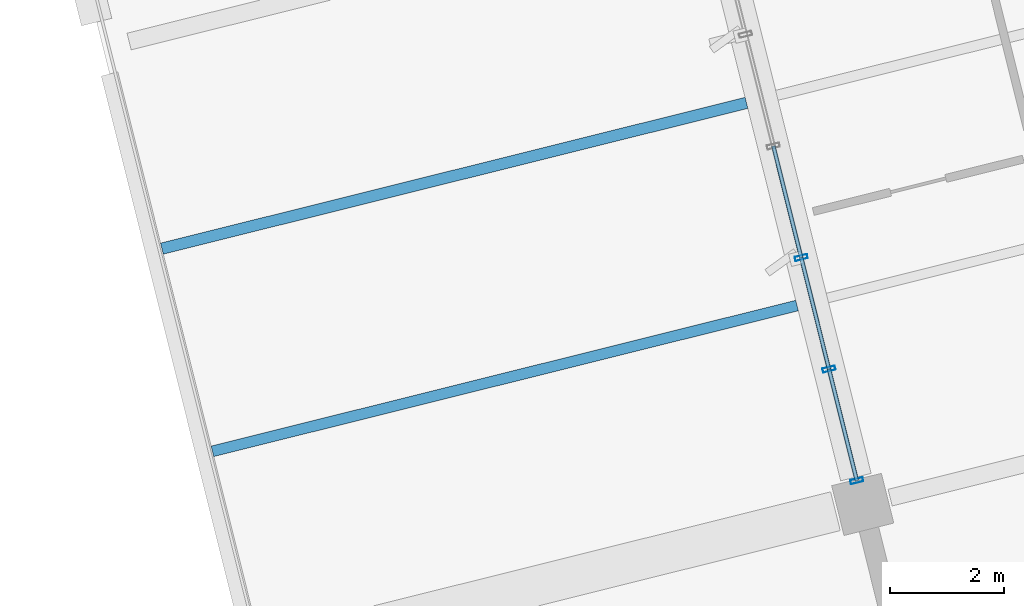
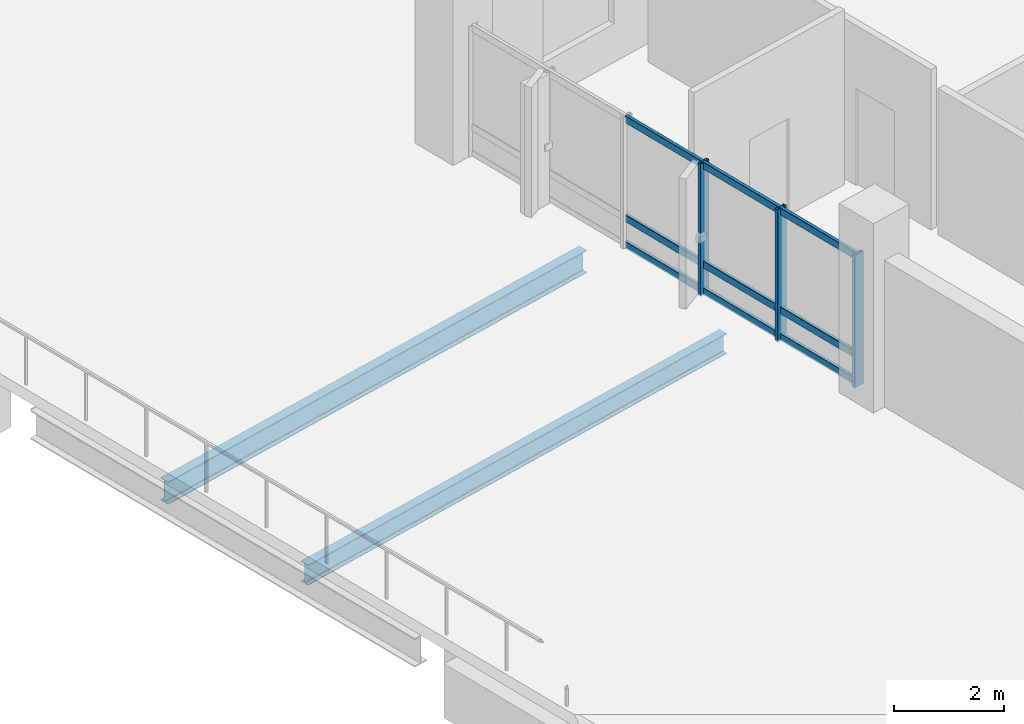
# One storey, part 14 of 42: 12 members, 2 beams, 1 element without a shape of its own.
"""IFC4 building model written with IfcOpenShell, lengths in metres."""

from ifc_helpers import new_model, si_unit, direction, frame, origin, origin_2d, place, context, subcontext, project, spatial, hollow_rectangle, i_section, extrude, material, layer, layer_set, material_profile, profile_set, type_object, element, aggregate, save


model = new_model("IFC4")

# Units and contexts
model_context = context("Model", 3, precision=1e-05, world=origin(), true_north=direction((0.0, 1.0)))
body_context = subcontext(model_context, "Body", "Model", "MODEL_VIEW")
ifc_project = project(units=[si_unit("LENGTHUNIT", "METRE"), si_unit("AREAUNIT", "SQUARE_METRE"), si_unit("VOLUMEUNIT", "CUBIC_METRE"), si_unit("PLANEANGLEUNIT", "RADIAN"), si_unit("MASSUNIT", "GRAM", prefix="KILO")], contexts=[model_context])

# Site, building, storey
site_placement = place(None, origin())
site = spatial("IfcSite", under=ifc_project, at=site_placement, CompositionType="ELEMENT")
building_placement = place(site_placement, origin())
building = spatial("IfcBuilding", under=site, at=building_placement, Name="Khorjan Park Terminus", CompositionType="ELEMENT")
storey_placement = place(building_placement, frame((0.0, 0.0, 20.4)))
storey = spatial("IfcBuildingStorey", under=building, at=storey_placement, Name="L04", CompositionType="ELEMENT", Elevation=20.4)

# Beams
ifc_material_1 = material(Name="Steel S355", Category="steel")
ifc_material_profile_1 = material_profile(ifc_material_1, i_section(OverallWidth=0.19, OverallDepth=0.45, WebThickness=0.0094, FlangeThickness=0.0146, FilletRadius=0.021, at=origin_2d()), Name="IPE 450")
ifc_profile_set_1 = profile_set([ifc_material_profile_1], Name="Steel S355")
beam_type_1 = type_object("IfcBeamType", Name="JS-IPE450", PredefinedType="JOIST", material=ifc_profile_set_1)
beam_1_placement = place(storey_placement, frame((186.6337, 56.2705, -0.565), z_axis=(0.970296385626, 0.241919251074, 0.0), x_axis=(-0.241919251074, 0.970296385626, 0.0)))
element("IfcBeam", 1, at=beam_1_placement, inside=storey, type_object=beam_type_1, Name="Secondary composite floor joist SJ-45 (L04)", PredefinedType="JOIST", context=body_context, shape_type="SweptSolid", body=[
    extrude(i_section(OverallWidth=0.19, OverallDepth=0.45, WebThickness=0.0094, FlangeThickness=0.0146, FilletRadius=0.021, at=origin_2d()), origin(), (0.0, 0.0, 1.0), 10.575),
])
ifc_material_profile_2 = material_profile(ifc_material_1, i_section(OverallWidth=0.2, OverallDepth=0.5, WebThickness=0.0102, FlangeThickness=0.016, FilletRadius=0.021, at=origin_2d()), Name="IPE 500")
ifc_profile_set_2 = profile_set([ifc_material_profile_2], Name="Steel S355")
beam_type_2 = type_object("IfcBeamType", Name="JS-IPE500", PredefinedType="JOIST", material=ifc_profile_set_2)
beam_2_placement = place(storey_placement, frame((185.7467, 59.8282, -0.59), z_axis=(0.970295832192, 0.241921470792, 0.0), x_axis=(-0.241921470792, 0.970295832192, 0.0)))
element("IfcBeam", 2, at=beam_2_placement, inside=storey, type_object=beam_type_2, Name="Secondary composite floor joist SJ-50 (L04)", PredefinedType="JOIST", context=body_context, shape_type="SweptSolid", body=[
    extrude(i_section(OverallWidth=0.2, OverallDepth=0.5, WebThickness=0.0102, FlangeThickness=0.016, FilletRadius=0.021, at=origin_2d()), origin(), (0.0, 0.0, 1.0), 10.5749),
])

# Curtain wall, members
ifc_material_2 = material(Name="Anodized Bronze Aluminium", Category="aluminium")
ifc_layer = layer(ifc_material_2, 0.22)
ifc_layer_set = layer_set([ifc_layer], Name="Anodized Bronze Aluminium")
curtain_wall_type = type_object("IfcCurtainWallType", Name="CW-OPS-B", PredefinedType="NOTDEFINED", material=ifc_layer_set)
curtain_wall_placement = place(storey_placement, origin())
curtain_wall = element("IfcCurtainWall", 3, at=curtain_wall_placement, inside=storey, type_object=curtain_wall_type, Name="Unitized curtain wall CW-B (CW-V5-NW1-L04-B01)", PredefinedType="NOTDEFINED")
ifc_material_profile_3 = material_profile(ifc_material_2, hollow_rectangle(XDim=0.075, YDim=0.225, WallThickness=0.005, InnerFilletRadius=0.005, OuterFilletRadius=0.01, at=origin_2d()), Name="ALM 75x225x5")
ifc_profile_set_3 = profile_set([ifc_material_profile_3], Name="Anodized Bronze Aluminium")
member_type_1 = type_object("IfcMemberType", Name="ML-ALM-225", PredefinedType="MULLION", material=ifc_profile_set_3)
member_1_placement = place(storey_placement, frame((196.9679, 59.6713, -0.035), z_axis=(0.0, 0.0, 1.0), x_axis=(0.241919922282, -0.970296218277, 0.0)))
member_1 = element("IfcMember", 4, at=member_1_placement, type_object=member_type_1, Name="Curtain-wall mullion ML-22 (CW-V5-NW1-L04-B01-3)", PredefinedType="MULLION", context=body_context, shape_type="SweptSolid", body=[
    extrude(hollow_rectangle(XDim=0.075, YDim=0.225, WallThickness=0.005, InnerFilletRadius=0.005, OuterFilletRadius=0.01, at=origin_2d()), origin(), (0.0, 0.0, 1.0), 2.935),
])
member_2_placement = place(storey_placement, frame((197.4561, 57.7133, -0.035), z_axis=(0.0, 0.0, 1.0), x_axis=(0.241919922282, -0.970296218277, 0.0)))
member_2 = element("IfcMember", 5, at=member_2_placement, type_object=member_type_1, Name="Curtain-wall mullion ML-22 (CW-V5-NW1-L04-B01-4)", PredefinedType="MULLION", context=body_context, shape_type="SweptSolid", body=[
    extrude(hollow_rectangle(XDim=0.075, YDim=0.225, WallThickness=0.005, InnerFilletRadius=0.005, OuterFilletRadius=0.01, at=origin_2d()), origin(), (0.0, 0.0, 1.0), 2.935),
])
member_3_placement = place(storey_placement, frame((197.9443, 55.7553, -0.035), z_axis=(0.0, 0.0, 1.0), x_axis=(0.241919922282, -0.970296218277, 0.0)))
member_3 = element("IfcMember", 6, at=member_3_placement, type_object=member_type_1, Name="Curtain-wall mullion ML-22 (CW-V5-NW1-L04-B01-5)", PredefinedType="MULLION", context=body_context, shape_type="SweptSolid", body=[
    extrude(hollow_rectangle(XDim=0.075, YDim=0.225, WallThickness=0.005, InnerFilletRadius=0.005, OuterFilletRadius=0.01, at=origin_2d()), origin(), (0.0, 0.0, 1.0), 2.935),
])
ifc_material_profile_4 = material_profile(ifc_material_2, hollow_rectangle(XDim=0.07, YDim=0.16, WallThickness=0.004, InnerFilletRadius=0.004, OuterFilletRadius=0.008, at=origin_2d()), Name="ALT 70x160x4")
ifc_profile_set_4 = profile_set([ifc_material_profile_4], Name="Anodized Bronze Aluminium")
member_type_2 = type_object("IfcMemberType", Name="TR-ALT-160", PredefinedType="USERDEFINED", material=ifc_profile_set_4)
member_4_placement = place(storey_placement, frame((196.4798, 61.6293, 0.04), z_axis=(0.241882597567, -0.970305523531, 0.0), x_axis=(0.970305523531, 0.241882597567, 0.0)))
member_4 = element("IfcMember", 7, at=member_4_placement, type_object=member_type_2, Name="Curtain-wall transom TR-16 (CW-V5-NW1-L04-B01-2-1)", ObjectType="TRANSOM", PredefinedType="USERDEFINED", context=body_context, shape_type="SweptSolid", body=[
    extrude(hollow_rectangle(XDim=0.07, YDim=0.16, WallThickness=0.004, InnerFilletRadius=0.004, OuterFilletRadius=0.008, at=origin_2d()), origin(), (0.0, 0.0, 1.0), 2.0179),
])
member_5_placement = place(storey_placement, frame((196.4798, 61.6293, 0.63), z_axis=(0.241882597567, -0.970305523531, 0.0), x_axis=(0.970305523531, 0.241882597567, 0.0)))
member_5 = element("IfcMember", 8, at=member_5_placement, type_object=member_type_2, Name="Curtain-wall transom TR-16 (CW-V5-NW1-L04-B01-2-2)", ObjectType="TRANSOM", PredefinedType="USERDEFINED", context=body_context, shape_type="SweptSolid", body=[
    extrude(hollow_rectangle(XDim=0.07, YDim=0.16, WallThickness=0.004, InnerFilletRadius=0.004, OuterFilletRadius=0.008, at=origin_2d()), origin(), (0.0, 0.0, 1.0), 2.0179),
])
member_6_placement = place(storey_placement, frame((196.4798, 61.6293, 2.825), z_axis=(0.241882597567, -0.970305523531, 0.0), x_axis=(0.970305523531, 0.241882597567, 0.0)))
member_6 = element("IfcMember", 9, at=member_6_placement, type_object=member_type_2, Name="Curtain-wall transom TR-16 (CW-V5-NW1-L04-B01-2-3)", ObjectType="TRANSOM", PredefinedType="USERDEFINED", context=body_context, shape_type="SweptSolid", body=[
    extrude(hollow_rectangle(XDim=0.07, YDim=0.16, WallThickness=0.004, InnerFilletRadius=0.004, OuterFilletRadius=0.008, at=origin_2d()), origin(), (0.0, 0.0, 1.0), 2.0179),
])
member_7_placement = place(storey_placement, frame((196.9679, 59.6713, 0.04), z_axis=(0.241929253299, -0.970293891766, 0.0), x_axis=(0.970293891766, 0.241929253299, 0.0)))
member_7 = element("IfcMember", 10, at=member_7_placement, type_object=member_type_2, Name="Curtain-wall transom TR-16 (CW-V5-NW1-L04-B01-3-1)", ObjectType="TRANSOM", PredefinedType="USERDEFINED", context=body_context, shape_type="SweptSolid", body=[
    extrude(hollow_rectangle(XDim=0.07, YDim=0.16, WallThickness=0.004, InnerFilletRadius=0.004, OuterFilletRadius=0.008, at=origin_2d()), origin(), (0.0, 0.0, 1.0), 2.0179),
])
member_8_placement = place(storey_placement, frame((196.9679, 59.6713, 0.63), z_axis=(0.241929253299, -0.970293891766, 0.0), x_axis=(0.970293891766, 0.241929253299, 0.0)))
member_8 = element("IfcMember", 11, at=member_8_placement, type_object=member_type_2, Name="Curtain-wall transom TR-16 (CW-V5-NW1-L04-B01-3-2)", ObjectType="TRANSOM", PredefinedType="USERDEFINED", context=body_context, shape_type="SweptSolid", body=[
    extrude(hollow_rectangle(XDim=0.07, YDim=0.16, WallThickness=0.004, InnerFilletRadius=0.004, OuterFilletRadius=0.008, at=origin_2d()), origin(), (0.0, 0.0, 1.0), 2.0179),
])
member_9_placement = place(storey_placement, frame((196.9679, 59.6713, 2.825), z_axis=(0.241929253299, -0.970293891766, 0.0), x_axis=(0.970293891766, 0.241929253299, 0.0)))
member_9 = element("IfcMember", 12, at=member_9_placement, type_object=member_type_2, Name="Curtain-wall transom TR-16 (CW-V5-NW1-L04-B01-3-3)", ObjectType="TRANSOM", PredefinedType="USERDEFINED", context=body_context, shape_type="SweptSolid", body=[
    extrude(hollow_rectangle(XDim=0.07, YDim=0.16, WallThickness=0.004, InnerFilletRadius=0.004, OuterFilletRadius=0.008, at=origin_2d()), origin(), (0.0, 0.0, 1.0), 2.0179),
])
member_10_placement = place(storey_placement, frame((197.4561, 57.7133, 0.04), z_axis=(0.241929253299, -0.970293891766, 0.0), x_axis=(0.970293891766, 0.241929253299, 0.0)))
member_10 = element("IfcMember", 13, at=member_10_placement, type_object=member_type_2, Name="Curtain-wall transom TR-16 (CW-V5-NW1-L04-B01-4-1)", ObjectType="TRANSOM", PredefinedType="USERDEFINED", context=body_context, shape_type="SweptSolid", body=[
    extrude(hollow_rectangle(XDim=0.07, YDim=0.16, WallThickness=0.004, InnerFilletRadius=0.004, OuterFilletRadius=0.008, at=origin_2d()), origin(), (0.0, 0.0, 1.0), 2.0179),
])
member_11_placement = place(storey_placement, frame((197.4561, 57.7133, 0.63), z_axis=(0.241929253299, -0.970293891766, 0.0), x_axis=(0.970293891766, 0.241929253299, 0.0)))
member_11 = element("IfcMember", 14, at=member_11_placement, type_object=member_type_2, Name="Curtain-wall transom TR-16 (CW-V5-NW1-L04-B01-4-2)", ObjectType="TRANSOM", PredefinedType="USERDEFINED", context=body_context, shape_type="SweptSolid", body=[
    extrude(hollow_rectangle(XDim=0.07, YDim=0.16, WallThickness=0.004, InnerFilletRadius=0.004, OuterFilletRadius=0.008, at=origin_2d()), origin(), (0.0, 0.0, 1.0), 2.0179),
])
member_12_placement = place(storey_placement, frame((197.4561, 57.7133, 2.825), z_axis=(0.241929253299, -0.970293891766, 0.0), x_axis=(0.970293891766, 0.241929253299, 0.0)))
member_12 = element("IfcMember", 15, at=member_12_placement, type_object=member_type_2, Name="Curtain-wall transom TR-16 (CW-V5-NW1-L04-B01-4-3)", ObjectType="TRANSOM", PredefinedType="USERDEFINED", context=body_context, shape_type="SweptSolid", body=[
    extrude(hollow_rectangle(XDim=0.07, YDim=0.16, WallThickness=0.004, InnerFilletRadius=0.004, OuterFilletRadius=0.008, at=origin_2d()), origin(), (0.0, 0.0, 1.0), 2.0179),
])
aggregate(curtain_wall, [member_1, member_2, member_3, member_4, member_5, member_6, member_7, member_8, member_9, member_10, member_11, member_12])

save(model, "model.ifc")
